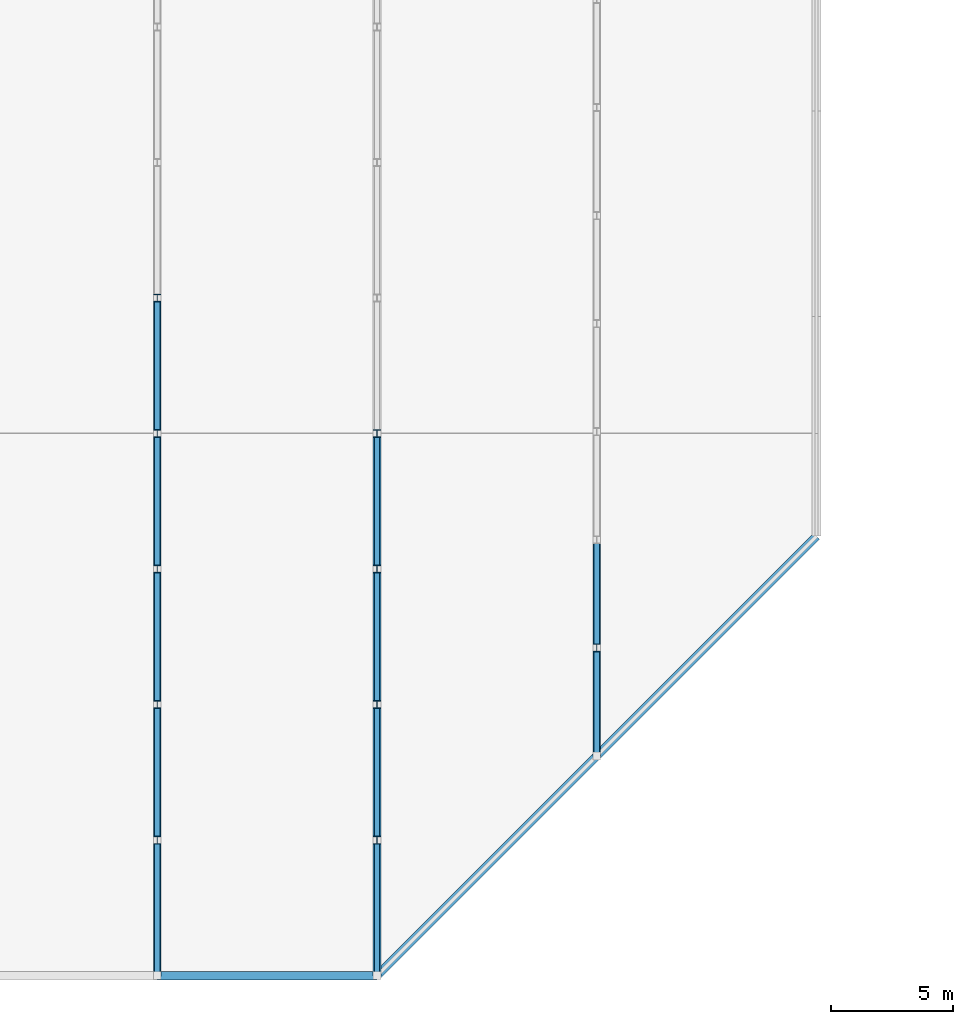
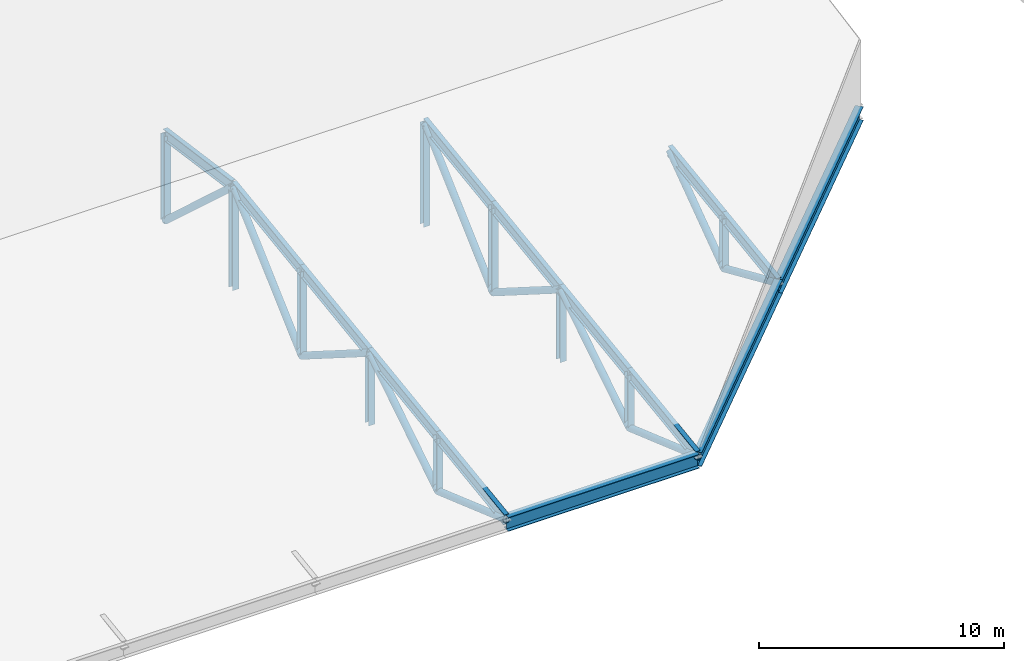
# One storey, part 8 of 103: 32 members, 3 beams.
"""IFC4 building model written with IfcOpenShell, lengths in metres."""

import ifcopenshell
import ifcopenshell.guid

model = None  # the IFC model being written
_history = None  # IfcOwnerHistory: only IFC2X3 demands one
_inside = {}  # id of a spatial element -> (the spatial element, [elements in it])
_under = {}  # id of a project, library or spatial element -> (it, [spatial elements below it])
_declared = {}  # id of a project -> (the project, [libraries it declares])
_typed = {}  # id of a type object -> (the type object, [elements of that type])
_made_of = {}  # id of a material, layer set ... -> (it, [elements and type objects made of it])


def new_model(schema):
    """Start an empty IFC model of exactly this schema.

    Asked for "IFC4X3", IfcOpenShell would pick the latest addendum, in which some entities
    have other attributes; the version numbers below select the first issue.
    IFC2X3 requires an IfcOwnerHistory on every rooted entity: one is made here for all.
    """
    global model, _history
    if schema == "IFC4X3":
        model = ifcopenshell.file(schema_version=(4, 3, 0, 0))
    else:
        model = ifcopenshell.file(schema=schema)
    _inside.clear()
    _under.clear()
    _declared.clear()
    _typed.clear()
    _made_of.clear()
    _history = None
    if model.schema == "IFC2X3":
        org = make("IfcOrganization", Name="unknown")
        user = make(
            "IfcPersonAndOrganization",
            ThePerson=make("IfcPerson", FamilyName="unknown"),
            TheOrganization=org,
        )
        app = make(
            "IfcApplication",
            ApplicationDeveloper=org,
            Version="unknown",
            ApplicationFullName="unknown",
            ApplicationIdentifier="unknown",
        )
        _history = make(
            "IfcOwnerHistory",
            OwningUser=user,
            OwningApplication=app,
            ChangeAction="ADDED",
            CreationDate=0,
        )
    return model


def make(cls, **values):
    """One entity of the class cls with the attributes given. An attribute that is None is left unset."""
    return model.create_entity(
        cls, **{name: value for name, value in values.items() if value is not None}
    )


def rooted(cls, **values):
    """An entity with a GlobalId (a new one), such as an element, a storey or a relation."""
    return make(cls, GlobalId=ifcopenshell.guid.new(), OwnerHistory=_history, **values)


def si_unit(unit_type, name, prefix=None):
    """IfcSIUnit, for example si_unit("LENGTHUNIT", "METRE", prefix="MILLI")."""
    return make("IfcSIUnit", UnitType=unit_type, Prefix=prefix, Name=name)


def assignment(units):
    """IfcUnitAssignment: the units of a project."""
    return None if units is None else make("IfcUnitAssignment", Units=units)


def point(xyz):
    """IfcCartesianPoint."""
    return None if xyz is None else make("IfcCartesianPoint", Coordinates=xyz)


def direction(xyz):
    """IfcDirection."""
    return None if xyz is None else make("IfcDirection", DirectionRatios=xyz)


def frame(location, z_axis=None, x_axis=None):
    """IfcAxis2Placement3D, a coordinate frame: its origin and axes. An axis left out is left unset."""
    return make(
        "IfcAxis2Placement3D",
        Location=point(location),
        Axis=direction(z_axis),
        RefDirection=direction(x_axis),
    )


def frame_2d(location, x_axis=None):
    """IfcAxis2Placement2D, a coordinate frame in the plane: its origin and x axis."""
    return make(
        "IfcAxis2Placement2D", Location=point(location), RefDirection=direction(x_axis)
    )


def origin():
    """The frame at (0, 0, 0) with its axes left unset."""
    return frame((0.0, 0.0, 0.0))


def origin_2d():
    """The frame at (0, 0) in the plane with its x axis left unset."""
    return frame_2d((0.0, 0.0))


def place(relative_to, where):
    """IfcLocalPlacement: puts the frame where relative to a parent placement (None: the world)."""
    return make(
        "IfcLocalPlacement", PlacementRelTo=relative_to, RelativePlacement=where
    )


def context(
    kind, dimensions, precision=None, world=None, true_north=None, identifier=None
):
    """IfcGeometricRepresentationContext, for example the 3D "Model" context."""
    return make(
        "IfcGeometricRepresentationContext",
        ContextIdentifier=identifier,
        ContextType=kind,
        CoordinateSpaceDimension=dimensions,
        Precision=precision,
        WorldCoordinateSystem=world,
        TrueNorth=true_north,
    )


def subcontext(parent, identifier, kind, view, scale=None):
    """IfcGeometricRepresentationSubContext, for example "Body" below "Model"."""
    return make(
        "IfcGeometricRepresentationSubContext",
        ContextIdentifier=identifier,
        ContextType=kind,
        ParentContext=parent,
        TargetScale=scale,
        TargetView=view,
    )


def project(units=None, contexts=None):
    """IfcProject with its units and contexts."""
    return rooted(
        "IfcProject",
        Name="project",
        RepresentationContexts=contexts,
        UnitsInContext=assignment(units),
    )


def spatial(cls, under=None, at=None, **own):
    """A site, building, storey or space (cls), placed at a placement, below another one or the project."""
    s = rooted(cls, ObjectPlacement=at, **own)
    if under is not None:
        _under.setdefault(under.id(), (under, []))[1].append(s)
    return s


def profile(cls, at=None, kind="AREA", **sizes):
    """A parametric profile (cls). Its sizes go by their IFC names, for example OverallWidth=200.0."""
    return make(cls, ProfileType=kind, Position=at, **sizes)


def hollow_circle(**sizes):
    """IfcCircleHollowProfileDef."""
    return profile("IfcCircleHollowProfileDef", **sizes)


def i_section(**sizes):
    """IfcIShapeProfileDef."""
    return profile("IfcIShapeProfileDef", **sizes)


def extrude(swept, where, along, depth):
    """IfcExtrudedAreaSolid: the profile swept, set in the frame where, extruded along a direction by depth."""
    return make(
        "IfcExtrudedAreaSolid",
        SweptArea=swept,
        Position=where,
        ExtrudedDirection=direction(along),
        Depth=depth,
    )


def shape(context_of_items, identifier, shape_type, items):
    """IfcShapeRepresentation: the items that make up one representation, for example the "Body"."""
    return make(
        "IfcShapeRepresentation",
        ContextOfItems=context_of_items,
        RepresentationIdentifier=identifier,
        RepresentationType=shape_type,
        Items=items,
    )


def material(Name=None, Category=None):
    """IfcMaterial."""
    return make("IfcMaterial", Name=Name, Category=Category)


def material_profile(
    of_material, cross_section, Name=None, Category=None, Priority=None
):
    """IfcMaterialProfile: a cross section and its material."""
    return make(
        "IfcMaterialProfile",
        Name=Name,
        Material=of_material,
        Profile=cross_section,
        Priority=Priority,
        Category=Category,
    )


def profile_set(profiles, Name=None, composite=None):
    """IfcMaterialProfileSet."""
    return make(
        "IfcMaterialProfileSet",
        Name=Name,
        MaterialProfiles=profiles,
        CompositeProfile=composite,
    )


def made_of(thing, what):
    """Note that an element or type object is made of a material, layer set ...; save() writes the relation."""
    if what is not None:
        _made_of.setdefault(what.id(), (what, []))[1].append(thing)
    return thing


def type_object(cls, material=None, **own):
    """A type object (cls), such as IfcWallType, which elements share."""
    return made_of(rooted(cls, **own), material)


def element(
    cls,
    number,
    at=None,
    inside=None,
    cuts=None,
    type_object=None,
    material=None,
    context=None,
    identifier="Body",
    shape_type=None,
    held_by="IfcProductDefinitionShape",
    body=None,
    shapes=None,
    **own,
):
    """One element of the class cls, such as IfcWall. Its Tag is "e" and its number.

    at: its placement. inside: the storey or other place that contains it. cuts: it is an
    opening in that element (IfcRelVoidsElement). A single representation is given by context,
    identifier, shape_type and body (its items); several are given by shapes. held_by: the class
    of the entity that holds the representations. save() writes the other relations.
    """
    e = rooted(cls, Tag="e%d" % number, ObjectPlacement=at, **own)
    if body is not None:
        shapes = [shape(context, identifier, shape_type, body)]
    if shapes is not None:
        e.Representation = make(held_by, Representations=shapes)
    if inside is not None:
        _inside.setdefault(inside.id(), (inside, []))[1].append(e)
    if cuts is not None:
        rooted(
            "IfcRelVoidsElement", RelatingBuildingElement=cuts, RelatedOpeningElement=e
        )
    if type_object is not None:
        _typed.setdefault(type_object.id(), (type_object, []))[1].append(e)
    return made_of(e, material)


def aggregate(whole, parts):
    """IfcRelAggregates: a whole, such as a stair, and the parts it consists of."""
    return rooted("IfcRelAggregates", RelatingObject=whole, RelatedObjects=parts)


def save(model, path):
    """Write the relations noted so far, then the file.

    IfcRelAggregates (storeys below a building ...), IfcRelContainedInSpatialStructure (elements
    in a storey), IfcRelDefinesByType, IfcRelAssociatesMaterial and IfcRelDeclares: one each for
    every whole, place, type object, material and project.
    """
    for whole, parts in _under.values():
        aggregate(whole, parts)
    for where, things in _inside.values():
        rooted(
            "IfcRelContainedInSpatialStructure",
            RelatedElements=things,
            RelatingStructure=where,
        )
    for kind, things in _typed.values():
        rooted("IfcRelDefinesByType", RelatedObjects=things, RelatingType=kind)
    for what, things in _made_of.values():
        rooted("IfcRelAssociatesMaterial", RelatedObjects=things, RelatingMaterial=what)
    for by, libraries in _declared.values():
        rooted("IfcRelDeclares", RelatingContext=by, RelatedDefinitions=libraries)
    model.write(path)


model = new_model("IFC4")

# Units and contexts
model_context = context("Model", 3, precision=1e-05, world=origin(), true_north=direction((0.0, 1.0)))
body_context = subcontext(model_context, "Body", "Model", "MODEL_VIEW")
ifc_project = project(units=[si_unit("LENGTHUNIT", "METRE"), si_unit("AREAUNIT", "SQUARE_METRE"), si_unit("VOLUMEUNIT", "CUBIC_METRE"), si_unit("PLANEANGLEUNIT", "RADIAN"), si_unit("MASSUNIT", "GRAM", prefix="KILO")], contexts=[model_context])

# Site, building, storey
site_placement = place(None, origin())
site = spatial("IfcSite", under=ifc_project, at=site_placement, CompositionType="ELEMENT")
building_placement = place(site_placement, origin())
building = spatial("IfcBuilding", under=site, at=building_placement, Name="Cazmaro Siding Exhibition Halls", CompositionType="ELEMENT")
storey_placement = place(building_placement, frame((0.0, 0.0, 16.5)))
storey = spatial("IfcBuildingStorey", under=building, at=storey_placement, Name="L03", CompositionType="ELEMENT", Elevation=16.5)

# Beams
ifc_material_1 = material(Name="Steel ASTM A992 Grade 50", Category="steel")
ifc_material_profile_1 = material_profile(ifc_material_1, i_section(OverallWidth=0.35595703125, OverallDepth=0.696044921875, WebThickness=0.014892578125, FlangeThickness=0.02490234375, at=origin_2d()), Name="W27X146")
ifc_profile_set_1 = profile_set([ifc_material_profile_1], Name="Steel ASTM A992 Grade 50")
beam_type = type_object("IfcBeamType", Name="G-05", PredefinedType="USERDEFINED", material=ifc_profile_set_1)
beam_placement = place(storey_placement, frame((36.0, 9.0, 0.35205078125), z_axis=(1.0, 0.0, 0.0), x_axis=(0.0, 1.0, 0.0)))
element("IfcBeam", 1, at=beam_placement, inside=storey, type_object=beam_type, Name="Beam G-05 BM-1737", ObjectType="GIRDER", PredefinedType="USERDEFINED", context=body_context, shape_type="SweptSolid", body=[
    extrude(i_section(OverallWidth=0.35595703125, OverallDepth=0.696044921875, WebThickness=0.014892578125, FlangeThickness=0.02490234375, at=origin_2d()), origin(), (0.0, 0.0, 1.0), 9.0),
])
for number, where, z_axis, x_axis, name in (
    (2, (45.0, 9.0, 0.35205078125), (0.707106781187, 0.707106781187, 0.0), (-0.707106781187, 0.707106781187, 0.0), "Beam G-05 BM-1739"),
    (3, (54.0, 18.0, 0.35205078125), (0.707106781187, 0.707106781187, 0.0), (-0.707106781187, 0.707106781187, 0.0), "Beam G-05 BM-1741"),
):
    element("IfcBeam", number, at=place(storey_placement, frame(where, z_axis=z_axis, x_axis=x_axis)), inside=storey, type_object=beam_type, Name=name, ObjectType="GIRDER", PredefinedType="USERDEFINED", context=body_context, shape_type="SweptSolid", body=[
        extrude(i_section(OverallWidth=0.35595703125, OverallDepth=0.696044921875, WebThickness=0.014892578125, FlangeThickness=0.02490234375, at=origin_2d()), origin(), (0.0, 0.0, 1.0), 12.72802734375),
    ])

# Members
ifc_material_2 = material(Name="Steel ASTM A992 Grade 50", Category="steel")
ifc_material_profile_2 = material_profile(ifc_material_2, i_section(OverallWidth=0.214111328125, OverallDepth=0.549072265625, WebThickness=0.014892578125, FlangeThickness=0.02392578125, at=origin_2d()), Name="W21X93")
ifc_profile_set_2 = profile_set([ifc_material_profile_2], Name="Steel ASTM A992 Grade 50")
member_type_1 = type_object("IfcMemberType", Name="TC-04", PredefinedType="CHORD", material=ifc_profile_set_2)
for number, where, z_axis, x_axis, name in (
    (4, (36.0, 9.0, 0.5), (0.0, 0.990267557209, 0.139176740654), (-1.0, 0.0, 0.0), "Congress folded roof top chord TC-04 MEM-3337"),
    (5, (36.0, 14.550048828125, 1.280029296875), (0.0, 0.990267557209, 0.139176740654), (-1.0, 0.0, 0.0), "Congress folded roof top chord TC-04 MEM-3340"),
):
    element("IfcMember", number, at=place(storey_placement, frame(where, z_axis=z_axis, x_axis=x_axis)), inside=storey, type_object=member_type_1, Name=name, PredefinedType="CHORD", context=body_context, shape_type="SweptSolid", body=[
        extrude(i_section(OverallWidth=0.214111328125, OverallDepth=0.549072265625, WebThickness=0.014892578125, FlangeThickness=0.02392578125, at=origin_2d()), origin(), (0.0, 0.0, 1.0), 5.6044921875),
    ])
member_1_placement = place(storey_placement, frame((36.0, 20.10009765625, 2.06005859375), z_axis=(0.0, 0.990266713375, 0.139182744555), x_axis=(-1.0, 0.0, 0.0)))
element("IfcMember", 6, at=member_1_placement, inside=storey, type_object=member_type_1, Name="Congress folded roof top chord TC-04 MEM-3343", PredefinedType="CHORD", context=body_context, shape_type="SweptSolid", body=[
    extrude(i_section(OverallWidth=0.214111328125, OverallDepth=0.549072265625, WebThickness=0.014892578125, FlangeThickness=0.02392578125, at=origin_2d()), origin(), (0.0, 0.0, 1.0), 5.604248046875),
])
for number, where, z_axis, x_axis, name in (
    (7, (36.0, 25.64990234375, 2.840087890625), (0.0, 0.990267557209, 0.139176740654), (-1.0, 0.0, 0.0), "Congress folded roof top chord TC-04 MEM-3346"),
    (8, (36.0, 31.199951171875, 3.6201171875), (0.0, 0.990267557209, -0.139176740654), (-1.0, 0.0, 0.0), "Congress folded roof top chord TC-04 MEM-3349"),
    (9, (45.0, 9.0, 0.5), (0.0, 0.990267557209, 0.139176740654), (-1.0, 0.0, 0.0), "Congress folded roof top chord TC-04 MEM-3368"),
    (10, (45.0, 14.550048828125, 1.280029296875), (0.0, 0.990267557209, 0.139176740654), (-1.0, 0.0, 0.0), "Congress folded roof top chord TC-04 MEM-3371"),
):
    element("IfcMember", number, at=place(storey_placement, frame(where, z_axis=z_axis, x_axis=x_axis)), inside=storey, type_object=member_type_1, Name=name, PredefinedType="CHORD", context=body_context, shape_type="SweptSolid", body=[
        extrude(i_section(OverallWidth=0.214111328125, OverallDepth=0.549072265625, WebThickness=0.014892578125, FlangeThickness=0.02392578125, at=origin_2d()), origin(), (0.0, 0.0, 1.0), 5.6044921875),
    ])
member_2_placement = place(storey_placement, frame((45.0, 20.10009765625, 2.06005859375), z_axis=(0.0, 0.990266713375, 0.139182744555), x_axis=(-1.0, 0.0, 0.0)))
element("IfcMember", 11, at=member_2_placement, inside=storey, type_object=member_type_1, Name="Congress folded roof top chord TC-04 MEM-3374", PredefinedType="CHORD", context=body_context, shape_type="SweptSolid", body=[
    extrude(i_section(OverallWidth=0.214111328125, OverallDepth=0.549072265625, WebThickness=0.014892578125, FlangeThickness=0.02392578125, at=origin_2d()), origin(), (0.0, 0.0, 1.0), 5.604248046875),
])
member_3_placement = place(storey_placement, frame((45.0, 25.64990234375, 2.840087890625), z_axis=(0.0, 0.990267557209, 0.139176740654), x_axis=(-1.0, 0.0, 0.0)))
element("IfcMember", 12, at=member_3_placement, inside=storey, type_object=member_type_1, Name="Congress folded roof top chord TC-04 MEM-3377", PredefinedType="CHORD", context=body_context, shape_type="SweptSolid", body=[
    extrude(i_section(OverallWidth=0.214111328125, OverallDepth=0.549072265625, WebThickness=0.014892578125, FlangeThickness=0.02392578125, at=origin_2d()), origin(), (0.0, 0.0, 1.0), 5.6044921875),
])
for number, where, z_axis, x_axis, name in (
    (13, (54.0, 18.0, 0.5), (0.0, 0.990262817008, 0.139210463875), (-1.0, 0.0, 0.0), "Congress folded roof top chord TC-04 MEM-3399"),
    (14, (54.0, 22.425048828125, 1.1220703125), (0.0, 0.990270347347, 0.13915688688), (-1.0, 0.0, 0.0), "Congress folded roof top chord TC-04 MEM-3402"),
):
    element("IfcMember", number, at=place(storey_placement, frame(where, z_axis=z_axis, x_axis=x_axis)), inside=storey, type_object=member_type_1, Name=name, PredefinedType="CHORD", context=body_context, shape_type="SweptSolid", body=[
        extrude(i_section(OverallWidth=0.214111328125, OverallDepth=0.549072265625, WebThickness=0.014892578125, FlangeThickness=0.02392578125, at=origin_2d()), origin(), (0.0, 0.0, 1.0), 4.468505859375),
    ])
ifc_material_3 = material(Name="Steel ASTM A992 Grade 50", Category="steel")
ifc_material_profile_3 = material_profile(ifc_material_3, i_section(OverallWidth=0.304931640625, OverallDepth=0.306884765625, WebThickness=0.010009765625, FlangeThickness=0.014892578125, at=origin_2d()), Name="W12X65")
ifc_profile_set_3 = profile_set([ifc_material_profile_3], Name="Steel ASTM A992 Grade 50")
member_type_2 = type_object("IfcMemberType", Name="TP-03", PredefinedType="POST", material=ifc_profile_set_3)
member_4_placement = place(storey_placement, frame((36.0, 14.550048828125, -1.449951171875), z_axis=(0.0, 0.0, 1.0), x_axis=(1.0, 0.0, 0.0)))
element("IfcMember", 15, at=member_4_placement, inside=storey, type_object=member_type_2, Name="Congress roof post TP-03 MEM-3361", PredefinedType="POST", context=body_context, shape_type="SweptSolid", body=[
    extrude(i_section(OverallWidth=0.304931640625, OverallDepth=0.306884765625, WebThickness=0.010009765625, FlangeThickness=0.014892578125, at=origin_2d()), origin(), (0.0, 0.0, 1.0), 2.72998046875),
])
member_5_placement = place(storey_placement, frame((36.0, 20.10009765625, -1.449951171875), z_axis=(0.0, 0.0, 1.0), x_axis=(1.0, 0.0, 0.0)))
element("IfcMember", 16, at=member_5_placement, inside=storey, type_object=member_type_2, Name="Congress roof post TP-03 MEM-3362", PredefinedType="POST", context=body_context, shape_type="SweptSolid", body=[
    extrude(i_section(OverallWidth=0.304931640625, OverallDepth=0.306884765625, WebThickness=0.010009765625, FlangeThickness=0.014892578125, at=origin_2d()), origin(), (0.0, 0.0, 1.0), 3.510009765625),
])
member_6_placement = place(storey_placement, frame((36.0, 25.64990234375, -1.449951171875), z_axis=(0.0, 0.0, 1.0), x_axis=(1.0, 0.0, 0.0)))
element("IfcMember", 17, at=member_6_placement, inside=storey, type_object=member_type_2, Name="Congress roof post TP-03 MEM-3363", PredefinedType="POST", context=body_context, shape_type="SweptSolid", body=[
    extrude(i_section(OverallWidth=0.304931640625, OverallDepth=0.306884765625, WebThickness=0.010009765625, FlangeThickness=0.014892578125, at=origin_2d()), origin(), (0.0, 0.0, 1.0), 4.2900390625),
])
member_7_placement = place(storey_placement, frame((36.0, 31.199951171875, -1.449951171875), z_axis=(0.0, 0.0, 1.0), x_axis=(1.0, 0.0, 0.0)))
element("IfcMember", 18, at=member_7_placement, inside=storey, type_object=member_type_2, Name="Congress roof post TP-03 MEM-3364", PredefinedType="POST", context=body_context, shape_type="SweptSolid", body=[
    extrude(i_section(OverallWidth=0.304931640625, OverallDepth=0.306884765625, WebThickness=0.010009765625, FlangeThickness=0.014892578125, at=origin_2d()), origin(), (0.0, 0.0, 1.0), 5.070068359375),
])
member_8_placement = place(storey_placement, frame((36.0, 36.75, -1.449951171875), z_axis=(0.0, 0.0, 1.0), x_axis=(1.0, 0.0, 0.0)))
element("IfcMember", 19, at=member_8_placement, inside=storey, type_object=member_type_2, Name="Congress roof post TP-03 MEM-3365", PredefinedType="POST", context=body_context, shape_type="SweptSolid", body=[
    extrude(i_section(OverallWidth=0.304931640625, OverallDepth=0.306884765625, WebThickness=0.010009765625, FlangeThickness=0.014892578125, at=origin_2d()), origin(), (0.0, 0.0, 1.0), 4.2900390625),
])
member_9_placement = place(storey_placement, frame((45.0, 14.550048828125, -1.449951171875), z_axis=(0.0, 0.0, 1.0), x_axis=(1.0, 0.0, 0.0)))
element("IfcMember", 20, at=member_9_placement, inside=storey, type_object=member_type_2, Name="Congress roof post TP-03 MEM-3392", PredefinedType="POST", context=body_context, shape_type="SweptSolid", body=[
    extrude(i_section(OverallWidth=0.304931640625, OverallDepth=0.306884765625, WebThickness=0.010009765625, FlangeThickness=0.014892578125, at=origin_2d()), origin(), (0.0, 0.0, 1.0), 2.72998046875),
])
member_10_placement = place(storey_placement, frame((45.0, 20.10009765625, -1.449951171875), z_axis=(0.0, 0.0, 1.0), x_axis=(1.0, 0.0, 0.0)))
element("IfcMember", 21, at=member_10_placement, inside=storey, type_object=member_type_2, Name="Congress roof post TP-03 MEM-3393", PredefinedType="POST", context=body_context, shape_type="SweptSolid", body=[
    extrude(i_section(OverallWidth=0.304931640625, OverallDepth=0.306884765625, WebThickness=0.010009765625, FlangeThickness=0.014892578125, at=origin_2d()), origin(), (0.0, 0.0, 1.0), 3.510009765625),
])
member_11_placement = place(storey_placement, frame((45.0, 25.64990234375, -1.449951171875), z_axis=(0.0, 0.0, 1.0), x_axis=(1.0, 0.0, 0.0)))
element("IfcMember", 22, at=member_11_placement, inside=storey, type_object=member_type_2, Name="Congress roof post TP-03 MEM-3394", PredefinedType="POST", context=body_context, shape_type="SweptSolid", body=[
    extrude(i_section(OverallWidth=0.304931640625, OverallDepth=0.306884765625, WebThickness=0.010009765625, FlangeThickness=0.014892578125, at=origin_2d()), origin(), (0.0, 0.0, 1.0), 4.2900390625),
])
member_12_placement = place(storey_placement, frame((45.0, 31.199951171875, -1.449951171875), z_axis=(0.0, 0.0, 1.0), x_axis=(1.0, 0.0, 0.0)))
element("IfcMember", 23, at=member_12_placement, inside=storey, type_object=member_type_2, Name="Congress roof post TP-03 MEM-3395", PredefinedType="POST", context=body_context, shape_type="SweptSolid", body=[
    extrude(i_section(OverallWidth=0.304931640625, OverallDepth=0.306884765625, WebThickness=0.010009765625, FlangeThickness=0.014892578125, at=origin_2d()), origin(), (0.0, 0.0, 1.0), 5.070068359375),
])
member_13_placement = place(storey_placement, frame((54.0, 22.425048828125, -1.449951171875), z_axis=(0.0, 0.0, 1.0), x_axis=(1.0, 0.0, 0.0)))
element("IfcMember", 24, at=member_13_placement, inside=storey, type_object=member_type_2, Name="Congress roof post TP-03 MEM-3423", PredefinedType="POST", context=body_context, shape_type="SweptSolid", body=[
    extrude(i_section(OverallWidth=0.304931640625, OverallDepth=0.306884765625, WebThickness=0.010009765625, FlangeThickness=0.014892578125, at=origin_2d()), origin(), (0.0, 0.0, 1.0), 2.572021484375),
])
ifc_material_4 = material(Name="Steel ASTM A500 Grade C", Category="steel")
ifc_material_profile_4 = material_profile(ifc_material_4, hollow_circle(Radius=0.162109375, WallThickness=0.012939453125, at=origin_2d()), Name="PIPE12XS")
ifc_profile_set_4 = profile_set([ifc_material_profile_4], Name="Steel ASTM A500 Grade C")
member_type_3 = type_object("IfcMemberType", Name="WB-03", PredefinedType="BRACE", material=ifc_profile_set_4)
member_14_placement = place(storey_placement, frame((36.0, 9.0, 0.5), z_axis=(0.0, 0.943463647565, -0.331476010782), x_axis=(-1.0, 0.0, 0.0)))
element("IfcMember", 25, at=member_14_placement, inside=storey, type_object=member_type_3, Name="Congress roof diagonal WB-03 MEM-3339", PredefinedType="BRACE", context=body_context, shape_type="SweptSolid", body=[
    extrude(hollow_circle(Radius=0.162109375, WallThickness=0.012939453125, at=origin_2d()), origin(), (0.0, 0.0, 1.0), 5.882568359375),
])
member_15_placement = place(storey_placement, frame((36.0, 14.550048828125, -1.449951171875), z_axis=(0.0, 0.845164526711, 0.53450624205), x_axis=(-1.0, 0.0, 0.0)))
element("IfcMember", 26, at=member_15_placement, inside=storey, type_object=member_type_3, Name="Congress roof diagonal WB-03 MEM-3342", PredefinedType="BRACE", context=body_context, shape_type="SweptSolid", body=[
    extrude(hollow_circle(Radius=0.162109375, WallThickness=0.012939453125, at=origin_2d()), origin(), (0.0, 0.0, 1.0), 6.56689453125),
])
member_16_placement = place(storey_placement, frame((36.0, 20.10009765625, 2.06005859375), z_axis=(0.0, 0.845153904607, -0.534523037416), x_axis=(-1.0, 0.0, 0.0)))
element("IfcMember", 27, at=member_16_placement, inside=storey, type_object=member_type_3, Name="Congress roof diagonal WB-03 MEM-3345", PredefinedType="BRACE", context=body_context, shape_type="SweptSolid", body=[
    extrude(hollow_circle(Radius=0.162109375, WallThickness=0.012939453125, at=origin_2d()), origin(), (0.0, 0.0, 1.0), 6.566650390625),
])
for number, where, z_axis, x_axis, name in (
    (28, (36.0, 25.64990234375, -1.449951171875), (0.0, 0.738311095171, 0.674460322589), (-1.0, 0.0, 0.0), "Congress roof diagonal WB-03 MEM-3348"),
    (29, (36.0, 31.199951171875, 3.6201171875), (0.0, 0.738311095171, -0.674460322589), (-1.0, 0.0, 0.0), "Congress roof diagonal WB-03 MEM-3351"),
):
    element("IfcMember", number, at=place(storey_placement, frame(where, z_axis=z_axis, x_axis=x_axis)), inside=storey, type_object=member_type_3, Name=name, PredefinedType="BRACE", context=body_context, shape_type="SweptSolid", body=[
        extrude(hollow_circle(Radius=0.162109375, WallThickness=0.012939453125, at=origin_2d()), origin(), (0.0, 0.0, 1.0), 7.517333984375),
    ])
member_17_placement = place(storey_placement, frame((45.0, 9.0, 0.5), z_axis=(0.0, 0.943463647565, -0.331476010782), x_axis=(-1.0, 0.0, 0.0)))
element("IfcMember", 30, at=member_17_placement, inside=storey, type_object=member_type_3, Name="Congress roof diagonal WB-03 MEM-3370", PredefinedType="BRACE", context=body_context, shape_type="SweptSolid", body=[
    extrude(hollow_circle(Radius=0.162109375, WallThickness=0.012939453125, at=origin_2d()), origin(), (0.0, 0.0, 1.0), 5.882568359375),
])
member_18_placement = place(storey_placement, frame((45.0, 14.550048828125, -1.449951171875), z_axis=(0.0, 0.845164526711, 0.53450624205), x_axis=(-1.0, 0.0, 0.0)))
element("IfcMember", 31, at=member_18_placement, inside=storey, type_object=member_type_3, Name="Congress roof diagonal WB-03 MEM-3373", PredefinedType="BRACE", context=body_context, shape_type="SweptSolid", body=[
    extrude(hollow_circle(Radius=0.162109375, WallThickness=0.012939453125, at=origin_2d()), origin(), (0.0, 0.0, 1.0), 6.56689453125),
])
member_19_placement = place(storey_placement, frame((45.0, 20.10009765625, 2.06005859375), z_axis=(0.0, 0.845153904607, -0.534523037416), x_axis=(-1.0, 0.0, 0.0)))
element("IfcMember", 32, at=member_19_placement, inside=storey, type_object=member_type_3, Name="Congress roof diagonal WB-03 MEM-3376", PredefinedType="BRACE", context=body_context, shape_type="SweptSolid", body=[
    extrude(hollow_circle(Radius=0.162109375, WallThickness=0.012939453125, at=origin_2d()), origin(), (0.0, 0.0, 1.0), 6.566650390625),
])
member_20_placement = place(storey_placement, frame((45.0, 25.64990234375, -1.449951171875), z_axis=(0.0, 0.738311095171, 0.674460322589), x_axis=(-1.0, 0.0, 0.0)))
element("IfcMember", 33, at=member_20_placement, inside=storey, type_object=member_type_3, Name="Congress roof diagonal WB-03 MEM-3379", PredefinedType="BRACE", context=body_context, shape_type="SweptSolid", body=[
    extrude(hollow_circle(Radius=0.162109375, WallThickness=0.012939453125, at=origin_2d()), origin(), (0.0, 0.0, 1.0), 7.517333984375),
])
member_21_placement = place(storey_placement, frame((54.0, 18.0, 0.5), z_axis=(0.0, 0.915091554186, -0.40324613756), x_axis=(-1.0, 0.0, 0.0)))
element("IfcMember", 34, at=member_21_placement, inside=storey, type_object=member_type_3, Name="Congress roof diagonal WB-03 MEM-3401", PredefinedType="BRACE", context=body_context, shape_type="SweptSolid", body=[
    extrude(hollow_circle(Radius=0.162109375, WallThickness=0.012939453125, at=origin_2d()), origin(), (0.0, 0.0, 1.0), 4.835693359375),
])
member_22_placement = place(storey_placement, frame((54.0, 22.425048828125, -1.449951171875), z_axis=(0.0, 0.810854963128, 0.58524715187), x_axis=(-1.0, 0.0, 0.0)))
element("IfcMember", 35, at=member_22_placement, inside=storey, type_object=member_type_3, Name="Congress roof diagonal WB-03 MEM-3404", PredefinedType="BRACE", context=body_context, shape_type="SweptSolid", body=[
    extrude(hollow_circle(Radius=0.162109375, WallThickness=0.012939453125, at=origin_2d()), origin(), (0.0, 0.0, 1.0), 5.457275390625),
])

save(model, "model.ifc")
